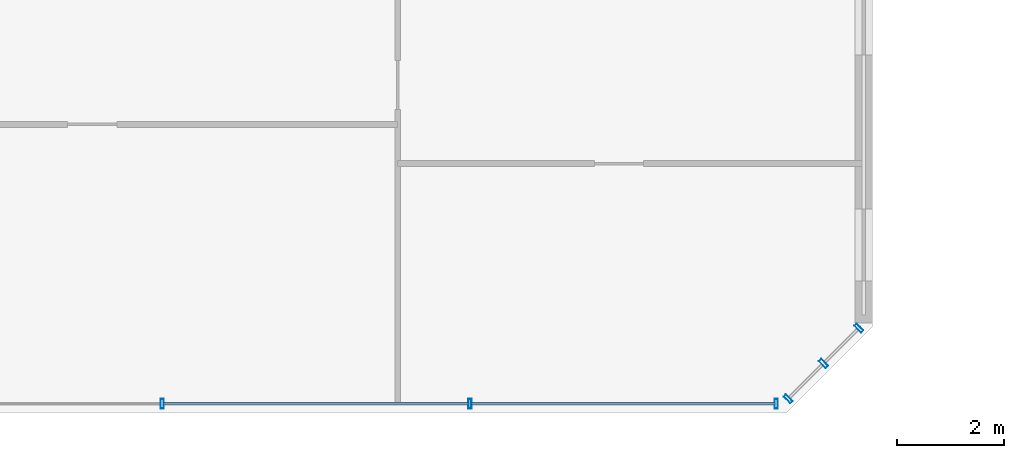
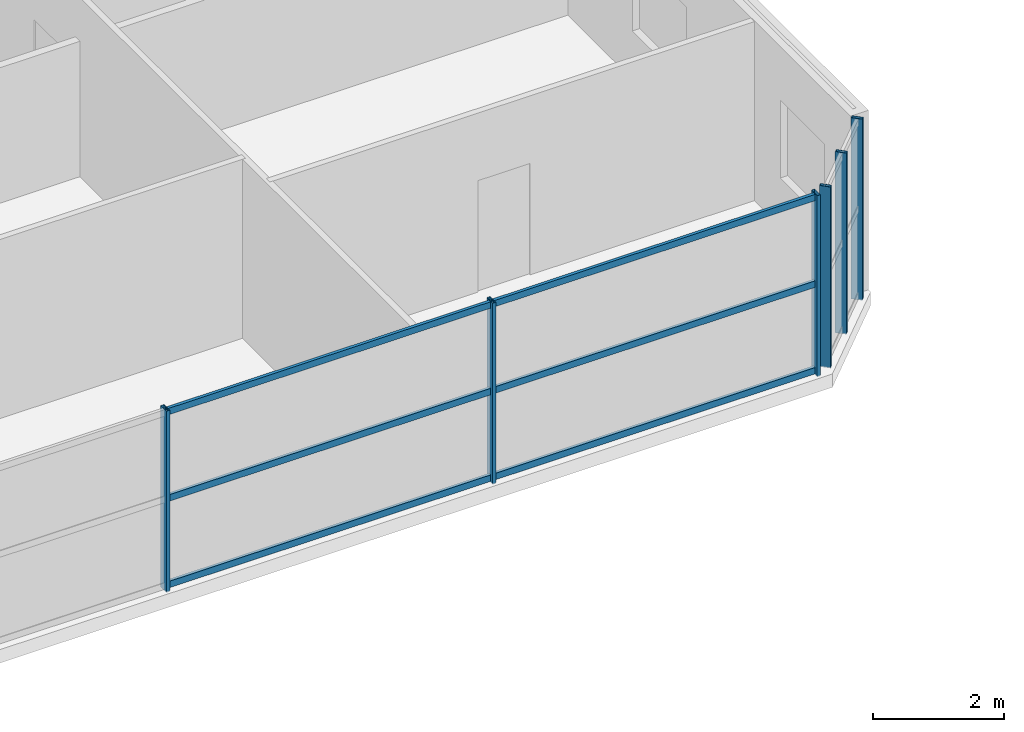
# One storey, part 6 of 21: 12 members, 2 elements without a shape of their own.
"""IFC4 building model written with IfcOpenShell, lengths in metres."""

from ifc_helpers import new_model, si_unit, direction, frame, origin, origin_2d, place, context, subcontext, project, spatial, hollow_rectangle, extrude, source, transform, mapped, material, material_profile, profile_set, type_object, element, aggregate, save


model = new_model("IFC4")

# Units and contexts
model_context = context("Model", 3, precision=1e-05, world=origin(), true_north=direction((0.0, 1.0)))
body_context = subcontext(model_context, "Body", "Model", "MODEL_VIEW")
ifc_project = project(units=[si_unit("LENGTHUNIT", "METRE"), si_unit("AREAUNIT", "SQUARE_METRE"), si_unit("VOLUMEUNIT", "CUBIC_METRE"), si_unit("PLANEANGLEUNIT", "RADIAN"), si_unit("MASSUNIT", "GRAM", prefix="KILO")], contexts=[model_context])

# Site, building, storey
site_placement = place(None, origin())
site = spatial("IfcSite", under=ifc_project, at=site_placement, CompositionType="ELEMENT")
building_placement = place(site_placement, origin())
building = spatial("IfcBuilding", under=site, at=building_placement, Name="Tlacorven Tower", CompositionType="ELEMENT")
storey_placement = place(building_placement, frame((0.0, 0.0, 214.800048828125)))
storey = spatial("IfcBuildingStorey", under=building, at=storey_placement, Name="L54", CompositionType="ELEMENT", Elevation=214.800048828125)

# Curtain wall, members
ifc_material_1 = material(Name="Dark solar low-E double glazing in aluminium frame", Category="aluminium")
curtain_wall_type = type_object("IfcCurtainWallType", Name="CW-TWR-HIGH", PredefinedType="USERDEFINED", material=ifc_material_1)
curtain_wall_1_placement = place(storey_placement, origin())
curtain_wall_1 = element("IfcCurtainWall", 1, at=curtain_wall_1_placement, inside=storey, type_object=curtain_wall_type, Name="L54 CW-TWR-HIGH Curtain Wall 245", ObjectType="UNITISED CURTAIN WALL", PredefinedType="USERDEFINED")
ifc_material_2 = material(Name="Aluminium 6063-T6 anodised", Category="aluminium")
ifc_material_profile_1 = material_profile(ifc_material_2, hollow_rectangle(XDim=0.054931640625, YDim=0.1201171875, WallThickness=0.00341796875, at=origin_2d()), Name="ALU TRANSOM 55X120")
ifc_profile_set_1 = profile_set([ifc_material_profile_1], Name="Aluminium 6063-T6 anodised")
member_type_1 = type_object("IfcMemberType", Name="CWT-03", PredefinedType="USERDEFINED", material=ifc_profile_set_1)
shared_shape_1 = source(origin(), body_context, "Body", "SweptSolid", [
    extrude(hollow_rectangle(XDim=0.054931640625, YDim=0.1201171875, WallThickness=0.00341796875, at=origin_2d()), origin(), (0.0, 0.0, 1.0), 5.689697265625),
])
member_1_placement = place(storey_placement, frame((50.585693359375, 1.9599609375, 0.06005859375), z_axis=(-1.0, 0.0, 0.0), x_axis=(0.0, -1.0, 0.0)))
member_1 = element("IfcMember", 2, at=member_1_placement, type_object=member_type_1, Name="CW-L54-245 Transom 1", ObjectType="TRANSOM", PredefinedType="USERDEFINED", context=body_context, shape_type="MappedRepresentation", body=[
    mapped(shared_shape_1, transform((0.0, 0.0, 0.0), scale=1.0)),
])
member_2_placement = place(storey_placement, frame((50.585693359375, 1.9599609375, 1.675048828125), z_axis=(-1.0, 0.0, 0.0), x_axis=(0.0, -1.0, 0.0)))
member_2 = element("IfcMember", 3, at=member_2_placement, type_object=member_type_1, Name="CW-L54-245 Transom 2", ObjectType="TRANSOM", PredefinedType="USERDEFINED", context=body_context, shape_type="MappedRepresentation", body=[
    mapped(shared_shape_1, transform((0.0, 0.0, 0.0), scale=1.0)),
])
member_3_placement = place(storey_placement, frame((50.585693359375, 1.9599609375, 3.2900390625), z_axis=(-1.0, 0.0, 0.0), x_axis=(0.0, -1.0, 0.0)))
member_3 = element("IfcMember", 4, at=member_3_placement, type_object=member_type_1, Name="CW-L54-245 Transom 3", ObjectType="TRANSOM", PredefinedType="USERDEFINED", context=body_context, shape_type="MappedRepresentation", body=[
    mapped(shared_shape_1, transform((0.0, 0.0, 0.0), scale=1.0)),
])
shared_shape_2 = source(origin(), body_context, "Body", "SweptSolid", [
    extrude(hollow_rectangle(XDim=0.054931640625, YDim=0.1201171875, WallThickness=0.00341796875, at=origin_2d()), origin(), (0.0, 0.0, 1.0), 5.7197265625),
])
member_4_placement = place(storey_placement, frame((44.85986328125, 1.9599609375, 0.06005859375), z_axis=(-1.0, 0.0, 0.0), x_axis=(0.0, -1.0, 0.0)))
member_4 = element("IfcMember", 5, at=member_4_placement, type_object=member_type_1, Name="CW-L54-245 Transom 4", ObjectType="TRANSOM", PredefinedType="USERDEFINED", context=body_context, shape_type="MappedRepresentation", body=[
    mapped(shared_shape_2, transform((0.0, 0.0, 0.0), scale=1.0)),
])
member_5_placement = place(storey_placement, frame((44.85986328125, 1.9599609375, 1.675048828125), z_axis=(-1.0, 0.0, 0.0), x_axis=(0.0, -1.0, 0.0)))
member_5 = element("IfcMember", 6, at=member_5_placement, type_object=member_type_1, Name="CW-L54-245 Transom 5", ObjectType="TRANSOM", PredefinedType="USERDEFINED", context=body_context, shape_type="MappedRepresentation", body=[
    mapped(shared_shape_2, transform((0.0, 0.0, 0.0), scale=1.0)),
])
member_6_placement = place(storey_placement, frame((44.85986328125, 1.9599609375, 3.2900390625), z_axis=(-1.0, 0.0, 0.0), x_axis=(0.0, -1.0, 0.0)))
member_6 = element("IfcMember", 7, at=member_6_placement, type_object=member_type_1, Name="CW-L54-245 Transom 6", ObjectType="TRANSOM", PredefinedType="USERDEFINED", context=body_context, shape_type="MappedRepresentation", body=[
    mapped(shared_shape_2, transform((0.0, 0.0, 0.0), scale=1.0)),
])

curtain_wall_2_placement = place(storey_placement, origin())
curtain_wall_2 = element("IfcCurtainWall", 8, at=curtain_wall_2_placement, inside=storey, type_object=curtain_wall_type, Name="L54 CW-TWR-HIGH Curtain Wall 244", ObjectType="UNITISED CURTAIN WALL", PredefinedType="USERDEFINED")
ifc_material_profile_2 = material_profile(ifc_material_2, hollow_rectangle(XDim=0.06005859375, YDim=0.179931640625, WallThickness=0.00390625, at=origin_2d()), Name="ALU MULLION 60X180")
ifc_profile_set_2 = profile_set([ifc_material_profile_2], Name="Aluminium 6063-T6 anodised")
member_type_2 = type_object("IfcMemberType", Name="CWM-03", PredefinedType="MULLION", material=ifc_profile_set_2)
shared_shape_3 = source(origin(), body_context, "Body", "SweptSolid", [
    extrude(hollow_rectangle(XDim=0.06005859375, YDim=0.179931640625, WallThickness=0.00390625, at=origin_2d()), origin(), (0.0, 0.0, 1.0), 3.3798828125),
])
member_7_placement = place(storey_placement, frame((52.148193359375, 3.374267578125, -0.02001953125), z_axis=(0.0, 0.0, 1.0), x_axis=(-0.707106781187, -0.707106781187, 0.0)))
member_7 = element("IfcMember", 9, at=member_7_placement, type_object=member_type_2, Name="CW-L54-244 Mullion 1", PredefinedType="MULLION", context=body_context, shape_type="MappedRepresentation", body=[
    mapped(shared_shape_3, transform((0.0, 0.0, 0.0), scale=1.0)),
])
member_8_placement = place(storey_placement, frame((51.48681640625, 2.713134765625, -0.02001953125), z_axis=(0.0, 0.0, 1.0), x_axis=(-0.707106781187, -0.707106781187, 0.0)))
member_8 = element("IfcMember", 10, at=member_8_placement, type_object=member_type_2, Name="CW-L54-244 Mullion 2", PredefinedType="MULLION", context=body_context, shape_type="MappedRepresentation", body=[
    mapped(shared_shape_3, transform((0.0, 0.0, 0.0), scale=1.0)),
])
member_9_placement = place(storey_placement, frame((50.82568359375, 2.052001953125, -0.02001953125), z_axis=(0.0, 0.0, 1.0), x_axis=(-0.707106781187, -0.707106781187, 0.0)))
member_9 = element("IfcMember", 11, at=member_9_placement, type_object=member_type_2, Name="CW-L54-244 Mullion 3", PredefinedType="MULLION", context=body_context, shape_type="MappedRepresentation", body=[
    mapped(shared_shape_3, transform((0.0, 0.0, 0.0), scale=1.0)),
])
aggregate(curtain_wall_2, [member_7, member_8, member_9])

# Member
member_10_placement = place(storey_placement, frame((50.603759765625, 1.9599609375, -0.02001953125), z_axis=(0.0, 0.0, 1.0), x_axis=(-1.0, 0.0, 0.0)))
member_10 = element("IfcMember", 12, at=member_10_placement, type_object=member_type_2, Name="CW-L54-245 Mullion 1", PredefinedType="MULLION", context=body_context, shape_type="MappedRepresentation", body=[
    mapped(shared_shape_3, transform((0.0, 0.0, 0.0), scale=1.0)),
])

member_11_placement = place(storey_placement, frame((44.8779296875, 1.9599609375, -0.02001953125), z_axis=(0.0, 0.0, 1.0), x_axis=(-1.0, 0.0, 0.0)))
member_11 = element("IfcMember", 13, at=member_11_placement, type_object=member_type_2, Name="CW-L54-245 Mullion 2", PredefinedType="MULLION", context=body_context, shape_type="MappedRepresentation", body=[
    mapped(shared_shape_3, transform((0.0, 0.0, 0.0), scale=1.0)),
])

member_12_placement = place(storey_placement, frame((39.1220703125, 1.9599609375, -0.02001953125), z_axis=(0.0, 0.0, 1.0), x_axis=(-1.0, 0.0, 0.0)))
member_12 = element("IfcMember", 14, at=member_12_placement, type_object=member_type_2, Name="CW-L54-245 Mullion 3", PredefinedType="MULLION", context=body_context, shape_type="MappedRepresentation", body=[
    mapped(shared_shape_3, transform((0.0, 0.0, 0.0), scale=1.0)),
])

aggregate(curtain_wall_1, [member_10, member_11, member_12, member_1, member_2, member_3, member_4, member_5, member_6])

save(model, "model.ifc")
